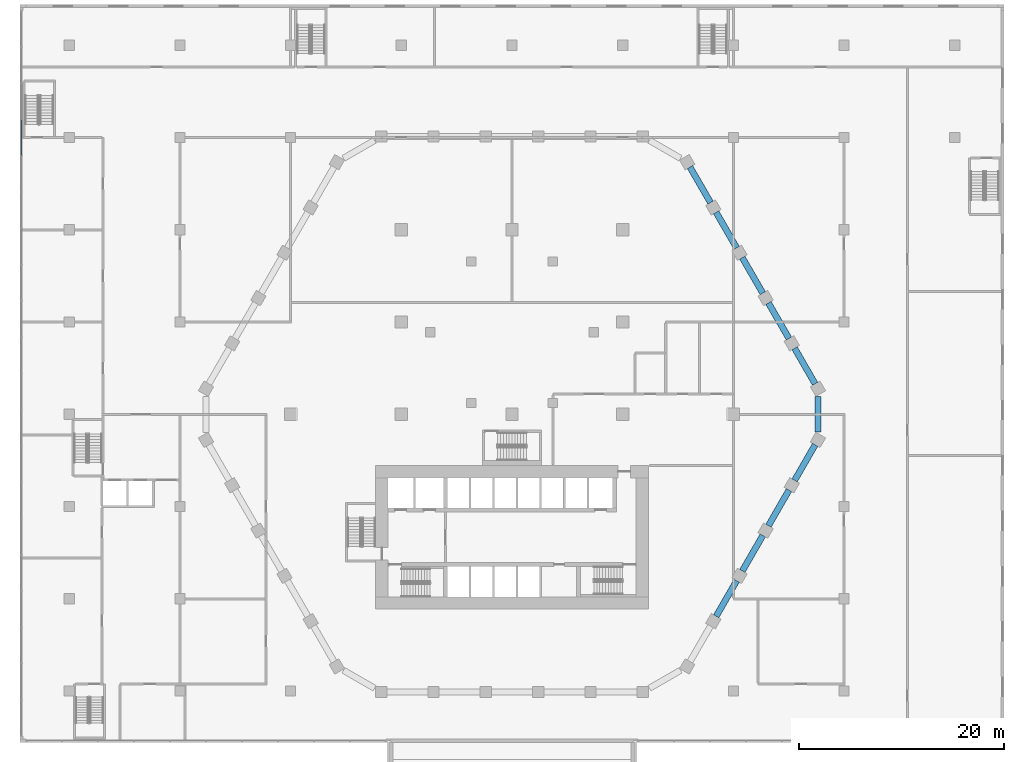
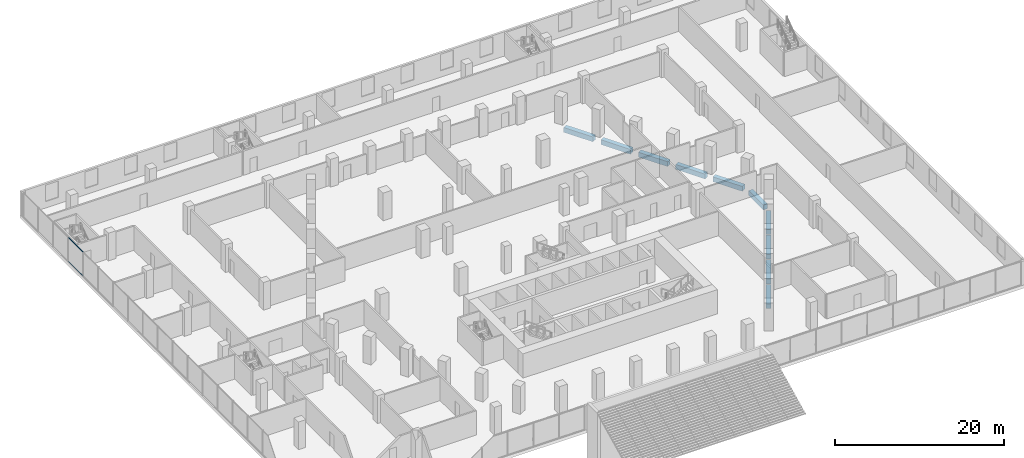
# One storey, part 10 of 45: 10 beams, 2 members, 1 element without a shape of its own.
"""IFC4 building model written with IfcOpenShell, lengths in metres."""

from ifc_helpers import new_model, si_unit, direction, frame, origin, origin_2d, place, context, subcontext, project, spatial, rectangle, hollow_rectangle, extrude, material, material_profile, profile_set, type_object, element, aggregate, save


model = new_model("IFC4")

# Units and contexts
model_context = context("Model", 3, precision=1e-05, world=origin(), true_north=direction((0.0, 1.0)))
body_context = subcontext(model_context, "Body", "Model", "MODEL_VIEW")
ifc_project = project(units=[si_unit("LENGTHUNIT", "METRE"), si_unit("AREAUNIT", "SQUARE_METRE"), si_unit("VOLUMEUNIT", "CUBIC_METRE"), si_unit("PLANEANGLEUNIT", "RADIAN"), si_unit("MASSUNIT", "GRAM", prefix="KILO")], contexts=[model_context])

# Site, building, storey
site_placement = place(None, origin())
site = spatial("IfcSite", under=ifc_project, at=site_placement, CompositionType="ELEMENT")
building_placement = place(site_placement, origin())
building = spatial("IfcBuilding", under=site, at=building_placement, Name="Beryl Residences", CompositionType="ELEMENT")
storey_placement = place(building_placement, frame((0.0, 0.0, 5.0)))
storey = spatial("IfcBuildingStorey", under=building, at=storey_placement, Name="L01", CompositionType="ELEMENT", Elevation=5.0)

# Curtain wall, members
ifc_material_1 = material(Name="Aluminium and clear glass", Category="aluminium")
curtain_wall_type = type_object("IfcCurtainWallType", Name="CW1 shopfront glazed wall", PredefinedType="NOTDEFINED", material=ifc_material_1)
curtain_wall_placement = place(storey_placement, origin())
curtain_wall = element("IfcCurtainWall", 1, at=curtain_wall_placement, inside=storey, type_object=curtain_wall_type, Name="CW1 L01 W", PredefinedType="NOTDEFINED")
ifc_material_2 = material(Name="Aluminium", Category="aluminium")
ifc_material_profile_1 = material_profile(ifc_material_2, hollow_rectangle(XDim=0.06005859375, YDim=0.10009765625, WallThickness=0.00390625, at=origin_2d()))
ifc_profile_set_1 = profile_set([ifc_material_profile_1], Name="Aluminium")
member_type = type_object("IfcMemberType", Name="CW1-T transom 60 x 100 mm", PredefinedType="USERDEFINED", material=ifc_profile_set_1)
member_1_placement = place(storey_placement, frame((-47.85009765625, 28.75, 0.030029296875), z_axis=(0.0, -1.0, 0.0), x_axis=(1.0, 0.0, 0.0)))
member_1 = element("IfcMember", 2, at=member_1_placement, type_object=member_type, Name="CW1 transom 4.1", ObjectType="TRANSOM", PredefinedType="USERDEFINED", context=body_context, shape_type="SweptSolid", body=[
    extrude(hollow_rectangle(XDim=0.06005859375, YDim=0.10009765625, WallThickness=0.00390625, at=origin_2d()), origin(), (0.0, 0.0, 1.0), 3.47998046875),
])
member_2_placement = place(storey_placement, frame((-47.85009765625, 28.75, 3.469970703125), z_axis=(0.0, -1.0, 0.0), x_axis=(1.0, 0.0, 0.0)))
member_2 = element("IfcMember", 3, at=member_2_placement, type_object=member_type, Name="CW1 transom 4.2", ObjectType="TRANSOM", PredefinedType="USERDEFINED", context=body_context, shape_type="SweptSolid", body=[
    extrude(hollow_rectangle(XDim=0.06005859375, YDim=0.10009765625, WallThickness=0.00390625, at=origin_2d()), origin(), (0.0, 0.0, 1.0), 3.47998046875),
])
aggregate(curtain_wall, [member_1, member_2])

# Beams
ifc_material_3 = material(Name="Concrete C80/95", Category="concrete")
ifc_material_profile_2 = material_profile(ifc_material_3, rectangle(XDim=0.60009765625, YDim=0.699951171875, at=origin_2d()))
ifc_profile_set_2 = profile_set([ifc_material_profile_2], Name="Concrete C80/95")
beam_type = type_object("IfcBeamType", Name="SB1 spandrel beam 600 x 700 C80/95", PredefinedType="SPANDREL", material=ifc_profile_set_2)
beam_1_placement = place(storey_placement, frame((19.9169921875, -19.7041015625, -0.800048828125), z_axis=(0.499836783367, 0.866119616446, 0.0), x_axis=(-0.866119616446, 0.499836783367, 0.0)))
element("IfcBeam", 4, at=beam_1_placement, inside=storey, type_object=beam_type, Name="SB1 L01 SE-1", PredefinedType="SPANDREL", context=body_context, shape_type="SweptSolid", body=[
    extrude(rectangle(XDim=0.60009765625, YDim=0.699951171875, at=origin_2d()), origin(), (0.0, 0.0, 1.0), 4.005126953125),
])
for number, where, z_axis, x_axis, name in (
    (5, (22.468994140625, -15.282958984375, -0.800048828125), (0.499942357345, 0.866058681229, 0.0), (-0.866058681229, 0.499942357345, 0.0), "SB1 L01 SE-2"),
    (6, (25.02099609375, -10.863037109375, -0.800048828125), (0.499942357345, 0.866058681229, 0.0), (-0.866058681229, 0.499942357345, 0.0), "SB1 L01 SE-3"),
):
    element("IfcBeam", number, at=place(storey_placement, frame(where, z_axis=z_axis, x_axis=x_axis)), inside=storey, type_object=beam_type, Name=name, PredefinedType="SPANDREL", context=body_context, shape_type="SweptSolid", body=[
        extrude(rectangle(XDim=0.60009765625, YDim=0.699951171875, at=origin_2d()), origin(), (0.0, 0.0, 1.0), 4.00439453125),
    ])
beam_2_placement = place(storey_placement, frame((27.572998046875, -6.443115234375, -0.800048828125), z_axis=(0.499759404093, 0.866164267342, 0.0), x_axis=(-0.866164267342, 0.499759404093, 0.0)))
element("IfcBeam", 7, at=beam_2_placement, inside=storey, type_object=beam_type, Name="SB1 L01 SE-4", PredefinedType="SPANDREL", context=body_context, shape_type="SweptSolid", body=[
    extrude(rectangle(XDim=0.60009765625, YDim=0.699951171875, at=origin_2d()), origin(), (0.0, 0.0, 1.0), 4.00390625),
])
beam_3_placement = place(storey_placement, frame((29.84912109375, -1.748046875, -0.800048828125), z_axis=(-0.000349064486, 0.999999939077, 0.0), x_axis=(-0.999999939077, -0.000349064486, 0.0)))
element("IfcBeam", 8, at=beam_3_placement, inside=storey, type_object=beam_type, Name="SB1 L01 SE-5", PredefinedType="SPANDREL", context=body_context, shape_type="SweptSolid", body=[
    extrude(rectangle(XDim=0.60009765625, YDim=0.699951171875, at=origin_2d()), origin(), (0.0, 0.0, 1.0), 3.4970703125),
])
beam_4_placement = place(storey_placement, frame((29.572998046875, 2.97607421875, -0.800048828125), z_axis=(-0.499653843024, 0.866225165388, 0.0), x_axis=(-0.866225165388, -0.499653843024, 0.0)))
element("IfcBeam", 9, at=beam_4_placement, inside=storey, type_object=beam_type, Name="SB1 L01 NE-0", PredefinedType="SPANDREL", context=body_context, shape_type="SweptSolid", body=[
    extrude(rectangle(XDim=0.60009765625, YDim=0.699951171875, at=origin_2d()), origin(), (0.0, 0.0, 1.0), 4.004638671875),
])
for number, where, z_axis, x_axis, name in (
    (10, (27.02197265625, 7.39697265625, -0.800048828125), (-0.499942357345, 0.866058681229, 0.0), (-0.866058681229, -0.499942357345, 0.0), "SB1 L01 NE-1"),
    (11, (24.469970703125, 11.81689453125, -0.800048828125), (-0.499942357345, 0.866058681229, 0.0), (-0.866058681229, -0.499942357345, 0.0), "SB1 L01 NE-2"),
    (12, (21.91796875, 16.237060546875, -0.800048828125), (-0.499942357345, 0.866058681229, 0.0), (-0.866058681229, -0.499942357345, 0.0), "SB1 L01 NE-3"),
    (13, (19.365966796875, 20.656982421875, -0.800048828125), (-0.499942357345, 0.866058681229, 0.0), (-0.866058681229, -0.499942357345, 0.0), "SB1 L01 NE-4"),
):
    element("IfcBeam", number, at=place(storey_placement, frame(where, z_axis=z_axis, x_axis=x_axis)), inside=storey, type_object=beam_type, Name=name, PredefinedType="SPANDREL", context=body_context, shape_type="SweptSolid", body=[
        extrude(rectangle(XDim=0.60009765625, YDim=0.699951171875, at=origin_2d()), origin(), (0.0, 0.0, 1.0), 4.00439453125),
    ])

save(model, "model.ifc")
